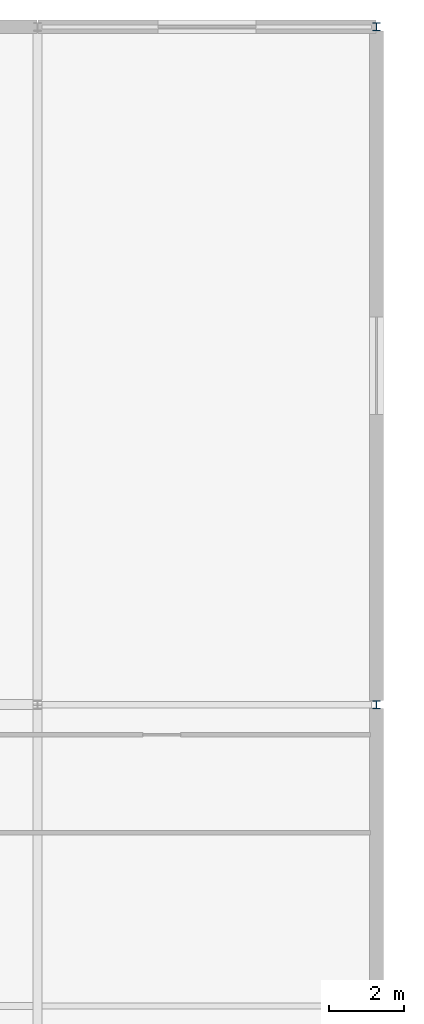
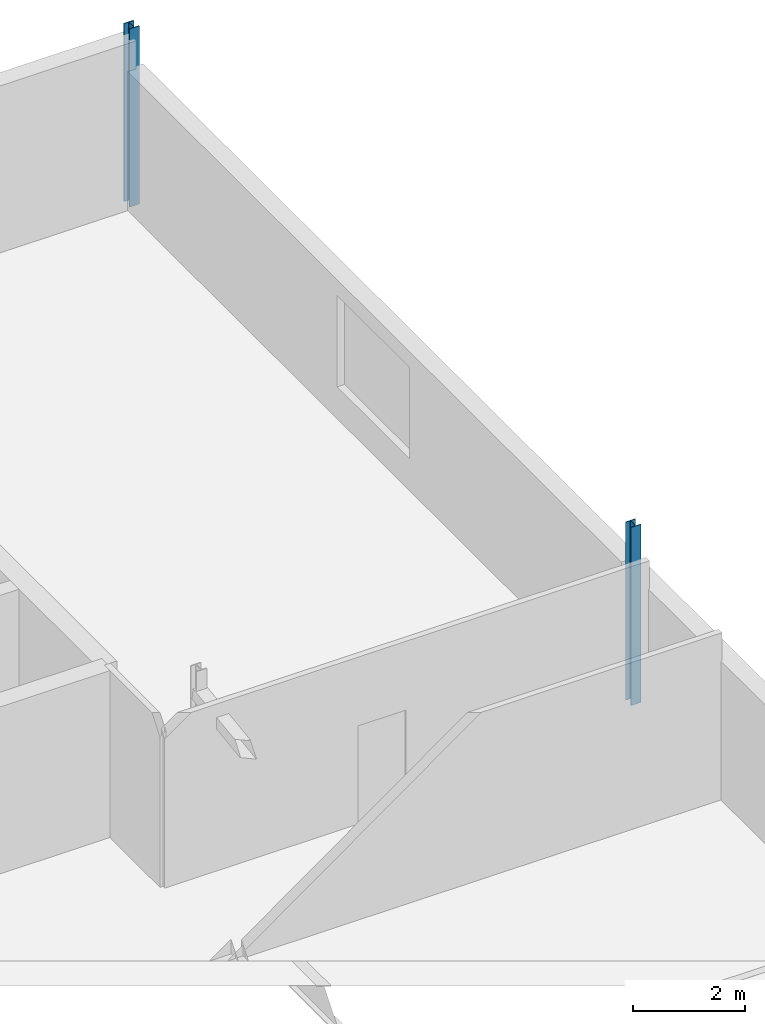
# One storey, part 16 of 35: 2 columns.
"""IFC4 building model written with IfcOpenShell, lengths in metres."""

import ifcopenshell
import ifcopenshell.guid

model = None  # the IFC model being written
_history = None  # IfcOwnerHistory: only IFC2X3 demands one
_inside = {}  # id of a spatial element -> (the spatial element, [elements in it])
_under = {}  # id of a project, library or spatial element -> (it, [spatial elements below it])
_declared = {}  # id of a project -> (the project, [libraries it declares])
_typed = {}  # id of a type object -> (the type object, [elements of that type])
_made_of = {}  # id of a material, layer set ... -> (it, [elements and type objects made of it])


def new_model(schema):
    """Start an empty IFC model of exactly this schema.

    Asked for "IFC4X3", IfcOpenShell would pick the latest addendum, in which some entities
    have other attributes; the version numbers below select the first issue.
    IFC2X3 requires an IfcOwnerHistory on every rooted entity: one is made here for all.
    """
    global model, _history
    if schema == "IFC4X3":
        model = ifcopenshell.file(schema_version=(4, 3, 0, 0))
    else:
        model = ifcopenshell.file(schema=schema)
    _inside.clear()
    _under.clear()
    _declared.clear()
    _typed.clear()
    _made_of.clear()
    _history = None
    if model.schema == "IFC2X3":
        org = make("IfcOrganization", Name="unknown")
        user = make(
            "IfcPersonAndOrganization",
            ThePerson=make("IfcPerson", FamilyName="unknown"),
            TheOrganization=org,
        )
        app = make(
            "IfcApplication",
            ApplicationDeveloper=org,
            Version="unknown",
            ApplicationFullName="unknown",
            ApplicationIdentifier="unknown",
        )
        _history = make(
            "IfcOwnerHistory",
            OwningUser=user,
            OwningApplication=app,
            ChangeAction="ADDED",
            CreationDate=0,
        )
    return model


def make(cls, **values):
    """One entity of the class cls with the attributes given. An attribute that is None is left unset."""
    return model.create_entity(
        cls, **{name: value for name, value in values.items() if value is not None}
    )


def rooted(cls, **values):
    """An entity with a GlobalId (a new one), such as an element, a storey or a relation."""
    return make(cls, GlobalId=ifcopenshell.guid.new(), OwnerHistory=_history, **values)


def si_unit(unit_type, name, prefix=None):
    """IfcSIUnit, for example si_unit("LENGTHUNIT", "METRE", prefix="MILLI")."""
    return make("IfcSIUnit", UnitType=unit_type, Prefix=prefix, Name=name)


def assignment(units):
    """IfcUnitAssignment: the units of a project."""
    return None if units is None else make("IfcUnitAssignment", Units=units)


def point(xyz):
    """IfcCartesianPoint."""
    return None if xyz is None else make("IfcCartesianPoint", Coordinates=xyz)


def direction(xyz):
    """IfcDirection."""
    return None if xyz is None else make("IfcDirection", DirectionRatios=xyz)


def frame(location, z_axis=None, x_axis=None):
    """IfcAxis2Placement3D, a coordinate frame: its origin and axes. An axis left out is left unset."""
    return make(
        "IfcAxis2Placement3D",
        Location=point(location),
        Axis=direction(z_axis),
        RefDirection=direction(x_axis),
    )


def frame_2d(location, x_axis=None):
    """IfcAxis2Placement2D, a coordinate frame in the plane: its origin and x axis."""
    return make(
        "IfcAxis2Placement2D", Location=point(location), RefDirection=direction(x_axis)
    )


def origin():
    """The frame at (0, 0, 0) with its axes left unset."""
    return frame((0.0, 0.0, 0.0))


def origin_2d():
    """The frame at (0, 0) in the plane with its x axis left unset."""
    return frame_2d((0.0, 0.0))


def place(relative_to, where):
    """IfcLocalPlacement: puts the frame where relative to a parent placement (None: the world)."""
    return make(
        "IfcLocalPlacement", PlacementRelTo=relative_to, RelativePlacement=where
    )


def context(
    kind, dimensions, precision=None, world=None, true_north=None, identifier=None
):
    """IfcGeometricRepresentationContext, for example the 3D "Model" context."""
    return make(
        "IfcGeometricRepresentationContext",
        ContextIdentifier=identifier,
        ContextType=kind,
        CoordinateSpaceDimension=dimensions,
        Precision=precision,
        WorldCoordinateSystem=world,
        TrueNorth=true_north,
    )


def subcontext(parent, identifier, kind, view, scale=None):
    """IfcGeometricRepresentationSubContext, for example "Body" below "Model"."""
    return make(
        "IfcGeometricRepresentationSubContext",
        ContextIdentifier=identifier,
        ContextType=kind,
        ParentContext=parent,
        TargetScale=scale,
        TargetView=view,
    )


def project(units=None, contexts=None):
    """IfcProject with its units and contexts."""
    return rooted(
        "IfcProject",
        Name="project",
        RepresentationContexts=contexts,
        UnitsInContext=assignment(units),
    )


def spatial(cls, under=None, at=None, **own):
    """A site, building, storey or space (cls), placed at a placement, below another one or the project."""
    s = rooted(cls, ObjectPlacement=at, **own)
    if under is not None:
        _under.setdefault(under.id(), (under, []))[1].append(s)
    return s


def profile(cls, at=None, kind="AREA", **sizes):
    """A parametric profile (cls). Its sizes go by their IFC names, for example OverallWidth=200.0."""
    return make(cls, ProfileType=kind, Position=at, **sizes)


def i_section(**sizes):
    """IfcIShapeProfileDef."""
    return profile("IfcIShapeProfileDef", **sizes)


def extrude(swept, where, along, depth):
    """IfcExtrudedAreaSolid: the profile swept, set in the frame where, extruded along a direction by depth."""
    return make(
        "IfcExtrudedAreaSolid",
        SweptArea=swept,
        Position=where,
        ExtrudedDirection=direction(along),
        Depth=depth,
    )


def shape(context_of_items, identifier, shape_type, items):
    """IfcShapeRepresentation: the items that make up one representation, for example the "Body"."""
    return make(
        "IfcShapeRepresentation",
        ContextOfItems=context_of_items,
        RepresentationIdentifier=identifier,
        RepresentationType=shape_type,
        Items=items,
    )


def material(Name=None, Category=None):
    """IfcMaterial."""
    return make("IfcMaterial", Name=Name, Category=Category)


def material_profile(
    of_material, cross_section, Name=None, Category=None, Priority=None
):
    """IfcMaterialProfile: a cross section and its material."""
    return make(
        "IfcMaterialProfile",
        Name=Name,
        Material=of_material,
        Profile=cross_section,
        Priority=Priority,
        Category=Category,
    )


def profile_set(profiles, Name=None, composite=None):
    """IfcMaterialProfileSet."""
    return make(
        "IfcMaterialProfileSet",
        Name=Name,
        MaterialProfiles=profiles,
        CompositeProfile=composite,
    )


def made_of(thing, what):
    """Note that an element or type object is made of a material, layer set ...; save() writes the relation."""
    if what is not None:
        _made_of.setdefault(what.id(), (what, []))[1].append(thing)
    return thing


def type_object(cls, material=None, **own):
    """A type object (cls), such as IfcWallType, which elements share."""
    return made_of(rooted(cls, **own), material)


def element(
    cls,
    number,
    at=None,
    inside=None,
    cuts=None,
    type_object=None,
    material=None,
    context=None,
    identifier="Body",
    shape_type=None,
    held_by="IfcProductDefinitionShape",
    body=None,
    shapes=None,
    **own,
):
    """One element of the class cls, such as IfcWall. Its Tag is "e" and its number.

    at: its placement. inside: the storey or other place that contains it. cuts: it is an
    opening in that element (IfcRelVoidsElement). A single representation is given by context,
    identifier, shape_type and body (its items); several are given by shapes. held_by: the class
    of the entity that holds the representations. save() writes the other relations.
    """
    e = rooted(cls, Tag="e%d" % number, ObjectPlacement=at, **own)
    if body is not None:
        shapes = [shape(context, identifier, shape_type, body)]
    if shapes is not None:
        e.Representation = make(held_by, Representations=shapes)
    if inside is not None:
        _inside.setdefault(inside.id(), (inside, []))[1].append(e)
    if cuts is not None:
        rooted(
            "IfcRelVoidsElement", RelatingBuildingElement=cuts, RelatedOpeningElement=e
        )
    if type_object is not None:
        _typed.setdefault(type_object.id(), (type_object, []))[1].append(e)
    return made_of(e, material)


def aggregate(whole, parts):
    """IfcRelAggregates: a whole, such as a stair, and the parts it consists of."""
    return rooted("IfcRelAggregates", RelatingObject=whole, RelatedObjects=parts)


def save(model, path):
    """Write the relations noted so far, then the file.

    IfcRelAggregates (storeys below a building ...), IfcRelContainedInSpatialStructure (elements
    in a storey), IfcRelDefinesByType, IfcRelAssociatesMaterial and IfcRelDeclares: one each for
    every whole, place, type object, material and project.
    """
    for whole, parts in _under.values():
        aggregate(whole, parts)
    for where, things in _inside.values():
        rooted(
            "IfcRelContainedInSpatialStructure",
            RelatedElements=things,
            RelatingStructure=where,
        )
    for kind, things in _typed.values():
        rooted("IfcRelDefinesByType", RelatedObjects=things, RelatingType=kind)
    for what, things in _made_of.values():
        rooted("IfcRelAssociatesMaterial", RelatedObjects=things, RelatingMaterial=what)
    for by, libraries in _declared.values():
        rooted("IfcRelDeclares", RelatingContext=by, RelatedDefinitions=libraries)
    model.write(path)


model = new_model("IFC4")

# Units and contexts
model_context = context("Model", 3, precision=1e-05, world=origin(), true_north=direction((0.0, 1.0)))
body_context = subcontext(model_context, "Body", "Model", "MODEL_VIEW")
ifc_project = project(units=[si_unit("LENGTHUNIT", "METRE"), si_unit("AREAUNIT", "SQUARE_METRE"), si_unit("VOLUMEUNIT", "CUBIC_METRE"), si_unit("PLANEANGLEUNIT", "RADIAN"), si_unit("MASSUNIT", "GRAM", prefix="KILO")], contexts=[model_context])

# Site, building, storey
site_placement = place(None, origin())
site = spatial("IfcSite", under=ifc_project, at=site_placement, CompositionType="ELEMENT")
building_placement = place(site_placement, origin())
building = spatial("IfcBuilding", under=site, at=building_placement, Name="Kisiwana Market Hall", CompositionType="ELEMENT")
storey_placement = place(building_placement, frame((0.0, 0.0, 57.89990234375)))
storey = spatial("IfcBuildingStorey", under=building, at=storey_placement, Name="L13", CompositionType="ELEMENT", Elevation=57.89990234375)

# Columns
ifc_material = material(Name="Steel S355", Category="steel")
ifc_material_profile = material_profile(ifc_material, i_section(OverallWidth=0.205810546875, OverallDepth=0.209716796875, WebThickness=0.009521484375, FlangeThickness=0.01416015625, FilletRadius=0.01025390625, at=origin_2d()), Name="UC 203x203x60")
ifc_profile_set = profile_set([ifc_material_profile], Name="Steel S355")
column_type = type_object("IfcColumnType", Name="COL-STL-UC060", PredefinedType="COLUMN", material=ifc_profile_set)
for number, where, z_axis, x_axis, name in (
    (1, (198.0, 84.0, 0.0), (0.0, 0.0, 1.0), (1.0, 0.0, 0.0), "Column L/23 (L13) C-1436"),
    (2, (198.0, 102.0, 0.0), (0.0, 0.0, 1.0), (1.0, 0.0, 0.0), "Column N/23 (L13) C-1437"),
):
    element("IfcColumn", number, at=place(storey_placement, frame(where, z_axis=z_axis, x_axis=x_axis)), inside=storey, type_object=column_type, Name=name, PredefinedType="COLUMN", context=body_context, shape_type="SweptSolid", body=[
        extrude(i_section(OverallWidth=0.205810546875, OverallDepth=0.209716796875, WebThickness=0.009521484375, FlangeThickness=0.01416015625, FilletRadius=0.01025390625, at=origin_2d()), origin(), (0.0, 0.0, 1.0), 3.900146484375),
    ])

save(model, "model.ifc")
